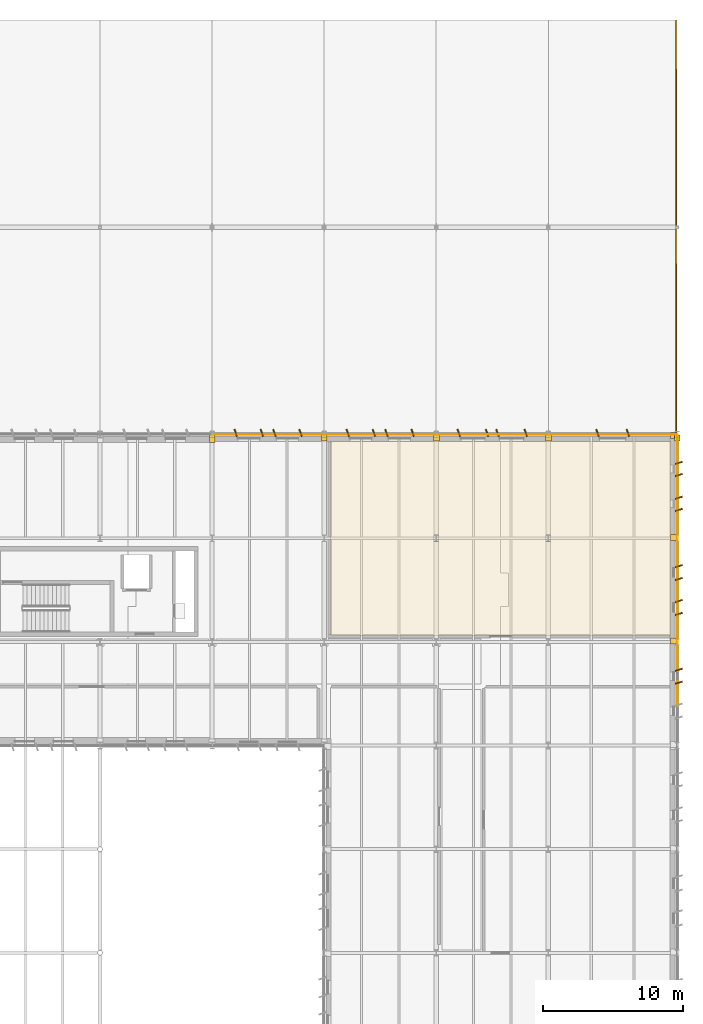
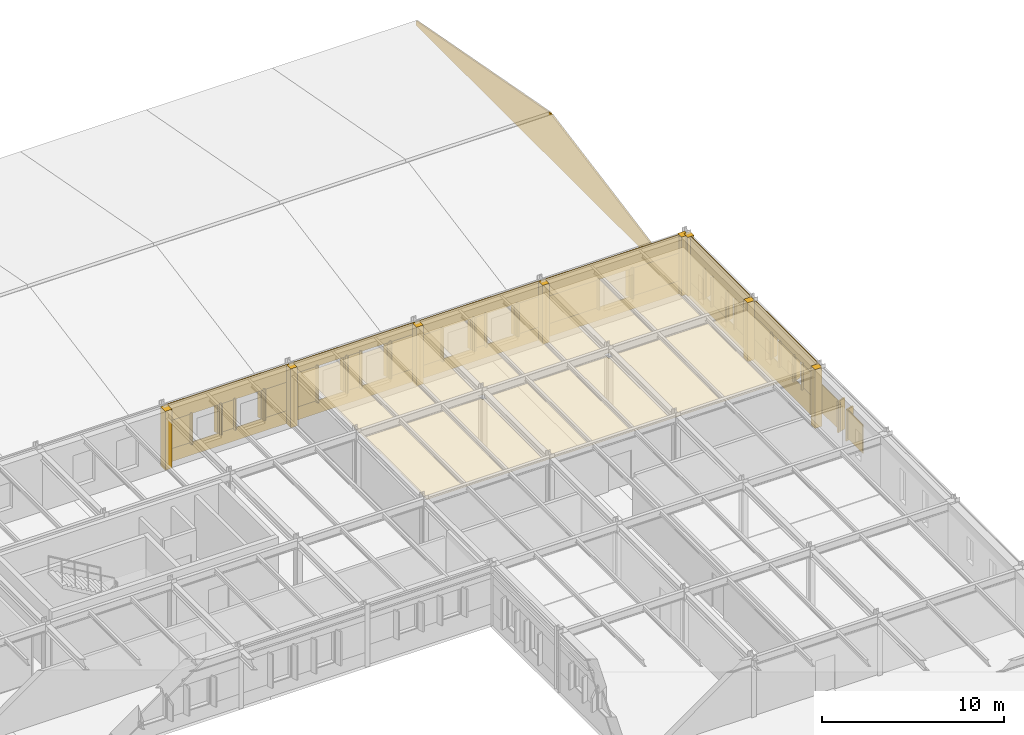
# One storey, part 63 of 63: 65 coverings.
"""IFC4 building model written with IfcOpenShell, lengths in metres."""

from ifc_helpers import new_model, si_unit, direction, frame, frame_2d, origin, origin_2d, place, context, subcontext, project, spatial, polyline, rectangle, outline, extrude, material, layer, layer_set, type_object, element, save


model = new_model("IFC4")

# Units and contexts
model_context = context("Model", 3, precision=1e-05, world=origin(), true_north=direction((0.0, 1.0)))
body_context = subcontext(model_context, "Body", "Model", "MODEL_VIEW")
ifc_project = project(units=[si_unit("LENGTHUNIT", "METRE"), si_unit("AREAUNIT", "SQUARE_METRE"), si_unit("VOLUMEUNIT", "CUBIC_METRE"), si_unit("PLANEANGLEUNIT", "RADIAN"), si_unit("MASSUNIT", "GRAM", prefix="KILO")], contexts=[model_context])

# Site, building, storey
site_placement = place(None, origin())
site = spatial("IfcSite", under=ifc_project, at=site_placement, CompositionType="ELEMENT")
building_placement = place(site_placement, origin())
building = spatial("IfcBuilding", under=site, at=building_placement, Name="Valkorina Park Police Headquarters", CompositionType="ELEMENT")
storey_placement = place(building_placement, frame((0.0, 0.0, 9.89990234375)))
storey = spatial("IfcBuildingStorey", under=building, at=storey_placement, Name="L03", CompositionType="ELEMENT", Elevation=9.89990234375)

# Coverings
ifc_material_1 = material(Name="Acoustic mineral board")
ifc_layer_1 = layer(ifc_material_1, 0.02490234375)
ifc_layer_set_1 = layer_set([ifc_layer_1], Name="Acoustic mineral board")
covering_type_1 = type_object("IfcCoveringType", Name="COV-CEILING-ACOUST", PredefinedType="CEILING", material=ifc_layer_set_1)
covering_1_placement = place(storey_placement, frame((0.0, 0.0, 3.380126953125)))
element("IfcCovering", 1, at=covering_1_placement, inside=storey, type_object=covering_type_1, Name="Forensic Cold-Case DNA Evidence Archive Acoustic Suspended Ceiling", PredefinedType="CEILING", context=body_context, shape_type="SweptSolid", body=[
    extrude(outline(polyline([(161.55859375, 67.1044921875), (161.5595703125, 67.1123046875), (161.56005859375, 67.1201171875), (161.56005859375, 80.8798828125), (161.5595703125, 80.8876953125), (161.55859375, 80.8955078125), (161.556640625, 80.9033203125), (161.553955078125, 80.91064453125), (161.550537109375, 80.917724609375), (161.54638671875, 80.92431640625), (161.541748046875, 80.930908203125), (161.53662109375, 80.9365234375), (161.53076171875, 80.94189453125), (161.5244140625, 80.946533203125), (161.517578125, 80.95068359375), (161.510498046875, 80.953857421875), (161.503173828125, 80.95654296875), (161.49560546875, 80.95849609375), (161.48779296875, 80.959716796875), (161.47998046875, 80.9599609375), (137.320068359375, 80.9599609375), (137.312255859375, 80.959716796875), (137.304443359375, 80.95849609375), (137.296875, 80.95654296875), (137.289306640625, 80.953857421875), (137.2822265625, 80.95068359375), (137.275634765625, 80.946533203125), (137.269287109375, 80.94189453125), (137.263427734375, 80.9365234375), (137.25830078125, 80.930908203125), (137.25341796875, 80.92431640625), (137.24951171875, 80.917724609375), (137.24609375, 80.91064453125), (137.243408203125, 80.9033203125), (137.241455078125, 80.8955078125), (137.240478515625, 80.8876953125), (137.239990234375, 80.8798828125), (137.239990234375, 67.1201171875), (137.240478515625, 67.1123046875), (137.241455078125, 67.1044921875), (137.243408203125, 67.0966796875), (137.24609375, 67.08935546875), (137.24951171875, 67.082275390625), (137.25341796875, 67.07568359375), (137.25830078125, 67.069091796875), (137.263427734375, 67.0634765625), (137.269287109375, 67.05810546875), (137.275634765625, 67.053466796875), (137.2822265625, 67.04931640625), (137.289306640625, 67.046142578125), (137.296875, 67.04345703125), (137.304443359375, 67.04150390625), (137.312255859375, 67.040283203125), (137.320068359375, 67.0400390625), (161.47998046875, 67.0400390625), (161.48779296875, 67.040283203125), (161.49560546875, 67.04150390625), (161.503173828125, 67.04345703125), (161.510498046875, 67.046142578125), (161.517578125, 67.04931640625), (161.5244140625, 67.053466796875), (161.53076171875, 67.05810546875), (161.53662109375, 67.0634765625), (161.541748046875, 67.069091796875), (161.54638671875, 67.07568359375), (161.550537109375, 67.082275390625), (161.553955078125, 67.08935546875), (161.556640625, 67.0966796875), (161.55859375, 67.1044921875)]), holes=[polyline([(152.949951171875, 74.22509765625), (152.949951171875, 73.77490234375), (152.64990234375, 73.77490234375), (152.64990234375, 74.22509765625), (152.949951171875, 74.22509765625)]), polyline([(144.949951171875, 74.22509765625), (144.949951171875, 73.77490234375), (144.64990234375, 73.77490234375), (144.64990234375, 74.22509765625), (144.949951171875, 74.22509765625)])]), origin(), (0.0, 0.0, 1.0), 0.02490234375),
])
ifc_material_2 = material(Name="Precast concrete C40/50", Category="concrete")
ifc_layer_2 = layer(ifc_material_2, 0.044921875)
ifc_layer_set_2 = layer_set([ifc_layer_2], Name="Precast concrete C40/50")
covering_type_2 = type_object("IfcCoveringType", Name="COV-CLAD-DOLOMITE", PredefinedType="CLADDING", material=ifc_layer_set_2)
covering_2_placement = place(storey_placement, frame((161.93994140625, 81.43994140625, -0.0498046875), z_axis=(0.0, 0.0, 1.0), x_axis=(0.0, 1.0, 0.0)))
element("IfcCovering", 2, at=covering_2_placement, inside=storey, type_object=covering_type_2, Name="V3 Gymnasium Gable Closure E", PredefinedType="CLADDING", context=body_context, shape_type="SweptSolid", body=[
    extrude(outline(polyline([(0.0, 0.0), (29.52001953125, 0.0), (29.52001953125, 0.2998046875), (14.760009765625, 3.0498046875), (0.0, 0.2998046875), (0.0, 0.0)])), frame((0.0, 0.0400390625, 0.0), z_axis=(0.0, -1.0, 0.0), x_axis=(1.0, 0.0, 0.0)), (0.0, 0.0, 1.0), 0.080078125),
])
covering_3_placement = place(storey_placement, frame((128.81005859375, 81.110107421875, 0.0), z_axis=(0.0, 0.0, 1.0), x_axis=(1.0, 0.0, 0.0)))
element("IfcCovering", 3, at=covering_3_placement, inside=storey, type_object=covering_type_2, Name="L03 Exterior Joint Closure Pilaster B 1859", PredefinedType="CLADDING", context=body_context, shape_type="SweptSolid", body=[
    extrude(rectangle(XDim=0.419921875, YDim=0.52197265625, at=origin_2d()), origin(), (0.0, 0.0, 1.0), 3.955078125),
])
covering_4_placement = place(storey_placement, frame((136.81005859375, 81.14990234375, 0.0), z_axis=(0.0, 0.0, 1.0), x_axis=(1.0, 0.0, 0.0)))
element("IfcCovering", 4, at=covering_4_placement, inside=storey, type_object=covering_type_2, Name="L03 Exterior Joint Closure Pilaster B 1869", PredefinedType="CLADDING", context=body_context, shape_type="SweptSolid", body=[
    extrude(rectangle(XDim=0.419921875, YDim=0.449951171875, at=origin_2d()), origin(), (0.0, 0.0, 1.0), 3.955078125),
])
for number, where, z_axis, x_axis, name in (
    (5, (130.482666015625, 81.52001953125, 0.7802734375), (0.0, 0.0, 1.0), (-0.317304656405, 0.948323655206, 0.0), "Slanted 18.5-deg Precast Window Slot Fin 1870"),
    (6, (132.3525390625, 81.52001953125, 0.7802734375), (0.0, 0.0, 1.0), (-0.317304656405, 0.948323655206, 0.0), "Slanted 18.5-deg Precast Window Slot Fin 1871"),
    (7, (133.247314453125, 81.52001953125, 0.7802734375), (0.0, 0.0, 1.0), (-0.317304656405, 0.948323655206, 0.0), "Slanted 18.5-deg Precast Window Slot Fin 1872"),
    (8, (135.117431640625, 81.52001953125, 0.7802734375), (0.0, 0.0, 1.0), (-0.317304656405, 0.948323655206, 0.0), "Slanted 18.5-deg Precast Window Slot Fin 1873"),
):
    element("IfcCovering", number, at=place(storey_placement, frame(where, z_axis=z_axis, x_axis=x_axis)), inside=storey, type_object=covering_type_2, Name=name, PredefinedType="CLADDING", context=body_context, shape_type="SweptSolid", body=[
        extrude(rectangle(XDim=0.5400390625, YDim=0.090087890625, at=origin_2d()), origin(), (0.0, 0.0, 1.0), 2.090087890625),
    ])
covering_5_placement = place(storey_placement, frame((128.820068359375, 81.4150390625, 0.0), z_axis=(0.0, 0.0, 1.0), x_axis=(1.0, 0.0, 0.0)))
element("IfcCovering", 9, at=covering_5_placement, inside=storey, type_object=covering_type_2, Name="L03 Calm Concrete Base Sill Spandrel 1874", PredefinedType="CLADDING", context=body_context, shape_type="SweptSolid", body=[
    extrude(rectangle(XDim=7.9599609375, YDim=0.044921875, at=frame_2d((3.97998046875, 0.0))), origin(), (0.0, 0.0, 1.0), 0.8701171875),
])
covering_6_placement = place(storey_placement, frame((128.820068359375, 81.4150390625, 2.780029296875), z_axis=(0.0, 0.0, 1.0), x_axis=(1.0, 0.0, 0.0)))
element("IfcCovering", 10, at=covering_6_placement, inside=storey, type_object=covering_type_2, Name="L03 Calm Concrete Base Lintel Spandrel 1875", PredefinedType="CLADDING", context=body_context, shape_type="SweptSolid", body=[
    extrude(rectangle(XDim=7.9599609375, YDim=0.044921875, at=frame_2d((3.97998046875, 0.0))), origin(), (0.0, 0.0, 1.0), 1.175048828125),
])
covering_7_placement = place(storey_placement, frame((128.820068359375, 81.4150390625, 0.8701171875), z_axis=(0.0, 0.0, 1.0), x_axis=(1.0, 0.0, 0.0)))
element("IfcCovering", 11, at=covering_7_placement, inside=storey, type_object=covering_type_2, Name="L03 Calm Concrete Base Slot Pier 1876", PredefinedType="CLADDING", context=body_context, shape_type="SweptSolid", body=[
    extrude(rectangle(XDim=1.7724609375, YDim=0.044921875, at=frame_2d((0.88623046875, 0.0))), origin(), (0.0, 0.0, 1.0), 1.909912109375),
])
covering_8_placement = place(storey_placement, frame((132.24267578125, 81.4150390625, 0.8701171875), z_axis=(0.0, 0.0, 1.0), x_axis=(1.0, 0.0, 0.0)))
element("IfcCovering", 12, at=covering_8_placement, inside=storey, type_object=covering_type_2, Name="L03 Calm Concrete Base Slot Pier 1877", PredefinedType="CLADDING", context=body_context, shape_type="SweptSolid", body=[
    extrude(rectangle(XDim=1.11474609375, YDim=0.044921875, at=frame_2d((0.557373046875, 0.0))), origin(), (0.0, 0.0, 1.0), 1.909912109375),
])
covering_9_placement = place(storey_placement, frame((135.00732421875, 81.4150390625, 0.8701171875), z_axis=(0.0, 0.0, 1.0), x_axis=(1.0, 0.0, 0.0)))
element("IfcCovering", 13, at=covering_9_placement, inside=storey, type_object=covering_type_2, Name="L03 Calm Concrete Base Slot Pier 1878", PredefinedType="CLADDING", context=body_context, shape_type="SweptSolid", body=[
    extrude(rectangle(XDim=1.772705078125, YDim=0.044921875, at=frame_2d((0.88623046875, 0.0))), origin(), (0.0, 0.0, 1.0), 1.909912109375),
])
covering_10_placement = place(storey_placement, frame((144.81005859375, 81.14990234375, 0.0), z_axis=(0.0, 0.0, 1.0), x_axis=(1.0, 0.0, 0.0)))
element("IfcCovering", 14, at=covering_10_placement, inside=storey, type_object=covering_type_2, Name="L03 Exterior Joint Closure Pilaster B 1879", PredefinedType="CLADDING", context=body_context, shape_type="SweptSolid", body=[
    extrude(rectangle(XDim=0.419921875, YDim=0.449951171875, at=origin_2d()), origin(), (0.0, 0.0, 1.0), 3.955078125),
])
for number, where, z_axis, x_axis, name in (
    (15, (138.482666015625, 81.52001953125, 0.7802734375), (0.0, 0.0, 1.0), (-0.317304656405, 0.948323655206, 0.0), "Slanted 18.5-deg Precast Window Slot Fin 1880"),
    (16, (140.3525390625, 81.52001953125, 0.7802734375), (0.0, 0.0, 1.0), (-0.317304656405, 0.948323655206, 0.0), "Slanted 18.5-deg Precast Window Slot Fin 1881"),
    (17, (141.247314453125, 81.52001953125, 0.7802734375), (0.0, 0.0, 1.0), (-0.317304656405, 0.948323655206, 0.0), "Slanted 18.5-deg Precast Window Slot Fin 1882"),
    (18, (143.117431640625, 81.52001953125, 0.7802734375), (0.0, 0.0, 1.0), (-0.317304656405, 0.948323655206, 0.0), "Slanted 18.5-deg Precast Window Slot Fin 1883"),
):
    element("IfcCovering", number, at=place(storey_placement, frame(where, z_axis=z_axis, x_axis=x_axis)), inside=storey, type_object=covering_type_2, Name=name, PredefinedType="CLADDING", context=body_context, shape_type="SweptSolid", body=[
        extrude(rectangle(XDim=0.5400390625, YDim=0.090087890625, at=origin_2d()), origin(), (0.0, 0.0, 1.0), 2.489990234375),
    ])
covering_11_placement = place(storey_placement, frame((136.820068359375, 81.4150390625, 0.0), z_axis=(0.0, 0.0, 1.0), x_axis=(1.0, 0.0, 0.0)))
element("IfcCovering", 19, at=covering_11_placement, inside=storey, type_object=covering_type_2, Name="L03 Calm Concrete Base Sill Spandrel 1884", PredefinedType="CLADDING", context=body_context, shape_type="SweptSolid", body=[
    extrude(rectangle(XDim=7.9599609375, YDim=0.044921875, at=frame_2d((3.97998046875, 0.0))), origin(), (0.0, 0.0, 1.0), 0.8701171875),
])
covering_12_placement = place(storey_placement, frame((136.820068359375, 81.4150390625, 3.18017578125), z_axis=(0.0, 0.0, 1.0), x_axis=(1.0, 0.0, 0.0)))
element("IfcCovering", 20, at=covering_12_placement, inside=storey, type_object=covering_type_2, Name="L03 Calm Concrete Base Lintel Spandrel 1885", PredefinedType="CLADDING", context=body_context, shape_type="SweptSolid", body=[
    extrude(rectangle(XDim=7.9599609375, YDim=0.044921875, at=frame_2d((3.97998046875, 0.0))), origin(), (0.0, 0.0, 1.0), 0.77490234375),
])
covering_13_placement = place(storey_placement, frame((136.820068359375, 81.4150390625, 0.8701171875), z_axis=(0.0, 0.0, 1.0), x_axis=(1.0, 0.0, 0.0)))
element("IfcCovering", 21, at=covering_13_placement, inside=storey, type_object=covering_type_2, Name="L03 Calm Concrete Base Slot Pier 1886", PredefinedType="CLADDING", context=body_context, shape_type="SweptSolid", body=[
    extrude(rectangle(XDim=1.7724609375, YDim=0.044921875, at=frame_2d((0.88623046875, 0.0))), origin(), (0.0, 0.0, 1.0), 2.31005859375),
])
covering_14_placement = place(storey_placement, frame((140.24267578125, 81.4150390625, 0.8701171875), z_axis=(0.0, 0.0, 1.0), x_axis=(1.0, 0.0, 0.0)))
element("IfcCovering", 22, at=covering_14_placement, inside=storey, type_object=covering_type_2, Name="L03 Calm Concrete Base Slot Pier 1887", PredefinedType="CLADDING", context=body_context, shape_type="SweptSolid", body=[
    extrude(rectangle(XDim=1.11474609375, YDim=0.044921875, at=frame_2d((0.557373046875, 0.0))), origin(), (0.0, 0.0, 1.0), 2.31005859375),
])
covering_15_placement = place(storey_placement, frame((143.00732421875, 81.4150390625, 0.8701171875), z_axis=(0.0, 0.0, 1.0), x_axis=(1.0, 0.0, 0.0)))
element("IfcCovering", 23, at=covering_15_placement, inside=storey, type_object=covering_type_2, Name="L03 Calm Concrete Base Slot Pier 1888", PredefinedType="CLADDING", context=body_context, shape_type="SweptSolid", body=[
    extrude(rectangle(XDim=1.772705078125, YDim=0.044921875, at=frame_2d((0.88623046875, 0.0))), origin(), (0.0, 0.0, 1.0), 2.31005859375),
])
covering_16_placement = place(storey_placement, frame((152.81005859375, 81.14990234375, 0.0), z_axis=(0.0, 0.0, 1.0), x_axis=(1.0, 0.0, 0.0)))
element("IfcCovering", 24, at=covering_16_placement, inside=storey, type_object=covering_type_2, Name="L03 Exterior Joint Closure Pilaster B 1889", PredefinedType="CLADDING", context=body_context, shape_type="SweptSolid", body=[
    extrude(rectangle(XDim=0.419921875, YDim=0.449951171875, at=origin_2d()), origin(), (0.0, 0.0, 1.0), 3.955078125),
])
for number, where, z_axis, x_axis, name in (
    (25, (146.40771484375, 81.52001953125, 0.7802734375), (0.0, 0.0, 1.0), (-0.317304656405, 0.948323655206, 0.0), "Slanted 18.5-deg Precast Window Slot Fin 1890"),
    (26, (148.427490234375, 81.52001953125, 0.7802734375), (0.0, 0.0, 1.0), (-0.317304656405, 0.948323655206, 0.0), "Slanted 18.5-deg Precast Window Slot Fin 1891"),
    (27, (149.17236328125, 81.52001953125, 0.7802734375), (0.0, 0.0, 1.0), (-0.317304656405, 0.948323655206, 0.0), "Slanted 18.5-deg Precast Window Slot Fin 1892"),
    (28, (151.1923828125, 81.52001953125, 0.7802734375), (0.0, 0.0, 1.0), (-0.317304656405, 0.948323655206, 0.0), "Slanted 18.5-deg Precast Window Slot Fin 1893"),
):
    element("IfcCovering", number, at=place(storey_placement, frame(where, z_axis=z_axis, x_axis=x_axis)), inside=storey, type_object=covering_type_2, Name=name, PredefinedType="CLADDING", context=body_context, shape_type="SweptSolid", body=[
        extrude(rectangle(XDim=0.5400390625, YDim=0.090087890625, at=origin_2d()), origin(), (0.0, 0.0, 1.0), 2.239990234375),
    ])
covering_17_placement = place(storey_placement, frame((144.820068359375, 81.4150390625, 0.0), z_axis=(0.0, 0.0, 1.0), x_axis=(1.0, 0.0, 0.0)))
element("IfcCovering", 29, at=covering_17_placement, inside=storey, type_object=covering_type_2, Name="L03 Calm Concrete Base Sill Spandrel 1894", PredefinedType="CLADDING", context=body_context, shape_type="SweptSolid", body=[
    extrude(rectangle(XDim=7.9599609375, YDim=0.044921875, at=frame_2d((3.97998046875, 0.0))), origin(), (0.0, 0.0, 1.0), 0.8701171875),
])
covering_18_placement = place(storey_placement, frame((144.820068359375, 81.4150390625, 2.93017578125), z_axis=(0.0, 0.0, 1.0), x_axis=(1.0, 0.0, 0.0)))
element("IfcCovering", 30, at=covering_18_placement, inside=storey, type_object=covering_type_2, Name="L03 Calm Concrete Base Lintel Spandrel 1895", PredefinedType="CLADDING", context=body_context, shape_type="SweptSolid", body=[
    extrude(rectangle(XDim=7.9599609375, YDim=0.044921875, at=frame_2d((3.97998046875, 0.0))), origin(), (0.0, 0.0, 1.0), 1.02490234375),
])
covering_19_placement = place(storey_placement, frame((144.820068359375, 81.4150390625, 0.8701171875), z_axis=(0.0, 0.0, 1.0), x_axis=(1.0, 0.0, 0.0)))
element("IfcCovering", 31, at=covering_19_placement, inside=storey, type_object=covering_type_2, Name="L03 Calm Concrete Base Slot Pier 1896", PredefinedType="CLADDING", context=body_context, shape_type="SweptSolid", body=[
    extrude(rectangle(XDim=1.697509765625, YDim=0.044921875, at=frame_2d((0.8486328125, 0.0))), origin(), (0.0, 0.0, 1.0), 2.06005859375),
])
covering_20_placement = place(storey_placement, frame((148.317626953125, 81.4150390625, 0.8701171875), z_axis=(0.0, 0.0, 1.0), x_axis=(1.0, 0.0, 0.0)))
element("IfcCovering", 32, at=covering_20_placement, inside=storey, type_object=covering_type_2, Name="L03 Calm Concrete Base Slot Pier 1897", PredefinedType="CLADDING", context=body_context, shape_type="SweptSolid", body=[
    extrude(rectangle(XDim=0.96484375, YDim=0.044921875, at=frame_2d((0.482421875, 0.0))), origin(), (0.0, 0.0, 1.0), 2.06005859375),
])
covering_21_placement = place(storey_placement, frame((151.08251953125, 81.4150390625, 0.8701171875), z_axis=(0.0, 0.0, 1.0), x_axis=(1.0, 0.0, 0.0)))
element("IfcCovering", 33, at=covering_21_placement, inside=storey, type_object=covering_type_2, Name="L03 Calm Concrete Base Slot Pier 1898", PredefinedType="CLADDING", context=body_context, shape_type="SweptSolid", body=[
    extrude(rectangle(XDim=1.697509765625, YDim=0.044921875, at=frame_2d((0.8486328125, 0.0))), origin(), (0.0, 0.0, 1.0), 2.06005859375),
])
covering_22_placement = place(storey_placement, frame((162.010009765625, 81.14990234375, 0.0), z_axis=(0.0, 0.0, 1.0), x_axis=(1.0, 0.0, 0.0)))
element("IfcCovering", 34, at=covering_22_placement, inside=storey, type_object=covering_type_2, Name="L03 Exterior Joint Closure Pilaster B 1899", PredefinedType="CLADDING", context=body_context, shape_type="SweptSolid", body=[
    extrude(rectangle(XDim=0.419921875, YDim=0.449951171875, at=origin_2d()), origin(), (0.0, 0.0, 1.0), 3.955078125),
])
for number, where, z_axis, x_axis, name in (
    (35, (156.31494140625, 81.52001953125, 0.780029296875), (0.0, 0.0, 1.0), (-0.317304656405, 0.948323655206, 0.0), "Slanted 18.5-deg Precast Window Slot Fin 1900"),
    (36, (158.485107421875, 81.52001953125, 0.780029296875), (0.0, 0.0, 1.0), (-0.317304656405, 0.948323655206, 0.0), "Slanted 18.5-deg Precast Window Slot Fin 1901"),
):
    element("IfcCovering", number, at=place(storey_placement, frame(where, z_axis=z_axis, x_axis=x_axis)), inside=storey, type_object=covering_type_2, Name=name, PredefinedType="CLADDING", context=body_context, shape_type="SweptSolid", body=[
        extrude(rectangle(XDim=0.5400390625, YDim=0.090087890625, at=origin_2d()), origin(), (0.0, 0.0, 1.0), 2.0400390625),
    ])
covering_23_placement = place(storey_placement, frame((152.820068359375, 81.4150390625, 0.0), z_axis=(0.0, 0.0, 1.0), x_axis=(1.0, 0.0, 0.0)))
element("IfcCovering", 37, at=covering_23_placement, inside=storey, type_object=covering_type_2, Name="L03 Calm Concrete Base Sill Spandrel 1902", PredefinedType="CLADDING", context=body_context, shape_type="SweptSolid", body=[
    extrude(rectangle(XDim=9.159912109375, YDim=0.044921875, at=frame_2d((4.580078125, 0.0))), origin(), (0.0, 0.0, 1.0), 0.8701171875),
])
covering_24_placement = place(storey_placement, frame((152.820068359375, 81.4150390625, 2.72998046875), z_axis=(0.0, 0.0, 1.0), x_axis=(1.0, 0.0, 0.0)))
element("IfcCovering", 38, at=covering_24_placement, inside=storey, type_object=covering_type_2, Name="L03 Calm Concrete Base Lintel Spandrel 1903", PredefinedType="CLADDING", context=body_context, shape_type="SweptSolid", body=[
    extrude(rectangle(XDim=9.159912109375, YDim=0.044921875, at=frame_2d((4.580078125, 0.0))), origin(), (0.0, 0.0, 1.0), 1.22509765625),
])
for number, where, z_axis, x_axis, name in (
    (39, (152.820068359375, 81.4150390625, 0.8701171875), (0.0, 0.0, 1.0), (1.0, 0.0, 0.0), "L03 Calm Concrete Base Slot Pier 1904"),
    (40, (158.375, 81.4150390625, 0.8701171875), (0.0, 0.0, 1.0), (1.0, 0.0, 0.0), "L03 Calm Concrete Base Slot Pier 1905"),
):
    element("IfcCovering", number, at=place(storey_placement, frame(where, z_axis=z_axis, x_axis=x_axis)), inside=storey, type_object=covering_type_2, Name=name, PredefinedType="CLADDING", context=body_context, shape_type="SweptSolid", body=[
        extrude(rectangle(XDim=3.60498046875, YDim=0.044921875, at=frame_2d((1.802490234375, 0.0))), origin(), (0.0, 0.0, 1.0), 1.85986328125),
    ])
for number, where, z_axis, x_axis, name in (
    (41, (161.75, 81.3349609375, 0.0), (0.0, 0.0, 1.0), (0.0, 1.0, 0.0), "L03 Exterior Joint Closure Pilaster A 1906"),
    (42, (161.75, 74.06494140625, 0.0), (0.0, 0.0, 1.0), (0.0, 1.0, 0.0), "L03 Exterior Joint Closure Pilaster B 1907"),
):
    element("IfcCovering", number, at=place(storey_placement, frame(where, z_axis=z_axis, x_axis=x_axis)), inside=storey, type_object=covering_type_2, Name=name, PredefinedType="CLADDING", context=body_context, shape_type="SweptSolid", body=[
        extrude(rectangle(XDim=0.419921875, YDim=0.449951171875, at=origin_2d()), origin(), (0.0, 0.0, 1.0), 3.955078125),
    ])
for number, where, z_axis, x_axis, name in (
    (43, (162.1201171875, 79.38232421875, 0.7802734375), (0.0, 0.0, 1.0), (0.948323655206, 0.317304656405, 0.0), "Slanted 18.5-deg Precast Window Slot Fin 1908"),
    (44, (162.1201171875, 78.512451171875, 0.7802734375), (0.0, 0.0, 1.0), (0.948323655206, 0.317304656405, 0.0), "Slanted 18.5-deg Precast Window Slot Fin 1909"),
    (45, (162.1201171875, 76.8876953125, 0.7802734375), (0.0, 0.0, 1.0), (0.948323655206, 0.317304656405, 0.0), "Slanted 18.5-deg Precast Window Slot Fin 1910"),
    (46, (162.1201171875, 76.017578125, 0.7802734375), (0.0, 0.0, 1.0), (0.948323655206, 0.317304656405, 0.0), "Slanted 18.5-deg Precast Window Slot Fin 1911"),
):
    element("IfcCovering", number, at=place(storey_placement, frame(where, z_axis=z_axis, x_axis=x_axis)), inside=storey, type_object=covering_type_2, Name=name, PredefinedType="CLADDING", context=body_context, shape_type="SweptSolid", body=[
        extrude(rectangle(XDim=0.5400390625, YDim=0.090087890625, at=origin_2d()), origin(), (0.0, 0.0, 1.0), 1.989990234375),
    ])
covering_25_placement = place(storey_placement, frame((162.014892578125, 81.3798828125, 0.0), z_axis=(0.0, 0.0, 1.0), x_axis=(0.0, -1.0, 0.0)))
element("IfcCovering", 47, at=covering_25_placement, inside=storey, type_object=covering_type_2, Name="L03 Calm Concrete Base Sill Spandrel 1912", PredefinedType="CLADDING", context=body_context, shape_type="SweptSolid", body=[
    extrude(rectangle(XDim=7.35986328125, YDim=0.044921875, at=frame_2d((3.679931640625, 0.0))), origin(), (0.0, 0.0, 1.0), 0.8701171875),
])
covering_26_placement = place(storey_placement, frame((162.014892578125, 81.3798828125, 2.68017578125), z_axis=(0.0, 0.0, 1.0), x_axis=(0.0, -1.0, 0.0)))
element("IfcCovering", 48, at=covering_26_placement, inside=storey, type_object=covering_type_2, Name="L03 Calm Concrete Base Lintel Spandrel 1913", PredefinedType="CLADDING", context=body_context, shape_type="SweptSolid", body=[
    extrude(rectangle(XDim=7.35986328125, YDim=0.044921875, at=frame_2d((3.679931640625, 0.0))), origin(), (0.0, 0.0, 1.0), 1.27490234375),
])
covering_27_placement = place(storey_placement, frame((162.014892578125, 81.3798828125, 0.8701171875), z_axis=(0.0, 0.0, 1.0), x_axis=(0.0, -1.0, 0.0)))
element("IfcCovering", 49, at=covering_27_placement, inside=storey, type_object=covering_type_2, Name="L03 Calm Concrete Base Slot Pier 1914", PredefinedType="CLADDING", context=body_context, shape_type="SweptSolid", body=[
    extrude(rectangle(XDim=2.107421875, YDim=0.044921875, at=frame_2d((1.0537109375, 0.0))), origin(), (0.0, 0.0, 1.0), 1.81005859375),
])
covering_28_placement = place(storey_placement, frame((162.014892578125, 78.622314453125, 0.8701171875), z_axis=(0.0, 0.0, 1.0), x_axis=(0.0, -1.0, 0.0)))
element("IfcCovering", 50, at=covering_28_placement, inside=storey, type_object=covering_type_2, Name="L03 Calm Concrete Base Slot Pier 1915", PredefinedType="CLADDING", context=body_context, shape_type="SweptSolid", body=[
    extrude(rectangle(XDim=1.8447265625, YDim=0.044921875, at=frame_2d((0.92236328125, 0.0))), origin(), (0.0, 0.0, 1.0), 1.81005859375),
])
covering_29_placement = place(storey_placement, frame((162.014892578125, 76.127685546875, 0.8701171875), z_axis=(0.0, 0.0, 1.0), x_axis=(0.0, -1.0, 0.0)))
element("IfcCovering", 51, at=covering_29_placement, inside=storey, type_object=covering_type_2, Name="L03 Calm Concrete Base Slot Pier 1916", PredefinedType="CLADDING", context=body_context, shape_type="SweptSolid", body=[
    extrude(rectangle(XDim=2.107666015625, YDim=0.044921875, at=frame_2d((1.0537109375, 0.0))), origin(), (0.0, 0.0, 1.0), 1.81005859375),
])
covering_30_placement = place(storey_placement, frame((161.75, 66.6650390625, 0.0), z_axis=(0.0, 0.0, 1.0), x_axis=(0.0, 1.0, 0.0)))
element("IfcCovering", 52, at=covering_30_placement, inside=storey, type_object=covering_type_2, Name="L03 Exterior Joint Closure Pilaster B 1917", PredefinedType="CLADDING", context=body_context, shape_type="SweptSolid", body=[
    extrude(rectangle(XDim=0.419921875, YDim=0.449951171875, at=origin_2d()), origin(), (0.0, 0.0, 1.0), 3.955078125),
])
for number, where, z_axis, x_axis, name in (
    (53, (162.1201171875, 72.00732421875, 1.22998046875), (0.0, 0.0, 1.0), (0.948323655206, 0.317304656405, 0.0), "Slanted 18.5-deg Precast Window Slot Fin 1918"),
    (54, (162.1201171875, 71.08740234375, 1.22998046875), (0.0, 0.0, 1.0), (0.948323655206, 0.317304656405, 0.0), "Slanted 18.5-deg Precast Window Slot Fin 1919"),
    (55, (162.1201171875, 69.5126953125, 1.22998046875), (0.0, 0.0, 1.0), (0.948323655206, 0.317304656405, 0.0), "Slanted 18.5-deg Precast Window Slot Fin 1920"),
    (56, (162.1201171875, 68.592529296875, 1.22998046875), (0.0, 0.0, 1.0), (0.948323655206, 0.317304656405, 0.0), "Slanted 18.5-deg Precast Window Slot Fin 1921"),
):
    element("IfcCovering", number, at=place(storey_placement, frame(where, z_axis=z_axis, x_axis=x_axis)), inside=storey, type_object=covering_type_2, Name=name, PredefinedType="CLADDING", context=body_context, shape_type="SweptSolid", body=[
        extrude(rectangle(XDim=0.5400390625, YDim=0.090087890625, at=origin_2d()), origin(), (0.0, 0.0, 1.0), 1.739990234375),
    ])
covering_31_placement = place(storey_placement, frame((162.014892578125, 73.97998046875, 0.0), z_axis=(0.0, 0.0, 1.0), x_axis=(0.0, -1.0, 0.0)))
element("IfcCovering", 57, at=covering_31_placement, inside=storey, type_object=covering_type_2, Name="L03 Calm Concrete Base Sill Spandrel 1922", PredefinedType="CLADDING", context=body_context, shape_type="SweptSolid", body=[
    extrude(rectangle(XDim=7.35986328125, YDim=0.044921875, at=frame_2d((3.679931640625, 0.0))), origin(), (0.0, 0.0, 1.0), 1.320068359375),
])
covering_32_placement = place(storey_placement, frame((162.014892578125, 73.97998046875, 2.880126953125), z_axis=(0.0, 0.0, 1.0), x_axis=(0.0, -1.0, 0.0)))
element("IfcCovering", 58, at=covering_32_placement, inside=storey, type_object=covering_type_2, Name="L03 Calm Concrete Base Lintel Spandrel 1923", PredefinedType="CLADDING", context=body_context, shape_type="SweptSolid", body=[
    extrude(rectangle(XDim=7.35986328125, YDim=0.044921875, at=frame_2d((3.679931640625, 0.0))), origin(), (0.0, 0.0, 1.0), 1.074951171875),
])
covering_33_placement = place(storey_placement, frame((162.014892578125, 73.97998046875, 1.320068359375), z_axis=(0.0, 0.0, 1.0), x_axis=(0.0, -1.0, 0.0)))
element("IfcCovering", 59, at=covering_33_placement, inside=storey, type_object=covering_type_2, Name="L03 Calm Concrete Base Slot Pier 1924", PredefinedType="CLADDING", context=body_context, shape_type="SweptSolid", body=[
    extrude(rectangle(XDim=2.08251953125, YDim=0.044921875, at=frame_2d((1.041259765625, 0.0))), origin(), (0.0, 0.0, 1.0), 1.56005859375),
])
covering_34_placement = place(storey_placement, frame((162.014892578125, 71.197509765625, 1.320068359375), z_axis=(0.0, 0.0, 1.0), x_axis=(0.0, -1.0, 0.0)))
element("IfcCovering", 60, at=covering_34_placement, inside=storey, type_object=covering_type_2, Name="L03 Calm Concrete Base Slot Pier 1925", PredefinedType="CLADDING", context=body_context, shape_type="SweptSolid", body=[
    extrude(rectangle(XDim=1.794921875, YDim=0.044921875, at=frame_2d((0.8974609375, 0.0))), origin(), (0.0, 0.0, 1.0), 1.56005859375),
])
covering_35_placement = place(storey_placement, frame((162.014892578125, 68.70263671875, 1.320068359375), z_axis=(0.0, 0.0, 1.0), x_axis=(0.0, -1.0, 0.0)))
element("IfcCovering", 61, at=covering_35_placement, inside=storey, type_object=covering_type_2, Name="L03 Calm Concrete Base Slot Pier 1926", PredefinedType="CLADDING", context=body_context, shape_type="SweptSolid", body=[
    extrude(rectangle(XDim=2.08251953125, YDim=0.044921875, at=frame_2d((1.041259765625, 0.0))), origin(), (0.0, 0.0, 1.0), 1.56005859375),
])
for number, where, z_axis, x_axis, name in (
    (62, (162.1201171875, 64.607421875, 0.7802734375), (0.0, 0.0, 1.0), (0.948323655206, 0.317304656405, 0.0), "Slanted 18.5-deg Precast Window Slot Fin 1928"),
    (63, (162.1201171875, 63.6875, 0.7802734375), (0.0, 0.0, 1.0), (0.948323655206, 0.317304656405, 0.0), "Slanted 18.5-deg Precast Window Slot Fin 1929"),
):
    element("IfcCovering", number, at=place(storey_placement, frame(where, z_axis=z_axis, x_axis=x_axis)), inside=storey, type_object=covering_type_2, Name=name, PredefinedType="CLADDING", context=body_context, shape_type="SweptSolid", body=[
        extrude(rectangle(XDim=0.5400390625, YDim=0.090087890625, at=origin_2d()), origin(), (0.0, 0.0, 1.0), 2.090087890625),
    ])
covering_36_placement = place(storey_placement, frame((162.014892578125, 66.580078125, 0.8701171875), z_axis=(0.0, 0.0, 1.0), x_axis=(0.0, -1.0, 0.0)))
element("IfcCovering", 64, at=covering_36_placement, inside=storey, type_object=covering_type_2, Name="L03 Calm Concrete Base Slot Pier 1934", PredefinedType="CLADDING", context=body_context, shape_type="SweptSolid", body=[
    extrude(rectangle(XDim=2.082763671875, YDim=0.044921875, at=frame_2d((1.04150390625, 0.0))), origin(), (0.0, 0.0, 1.0), 1.909912109375),
])
covering_37_placement = place(storey_placement, frame((162.014892578125, 63.79736328125, 0.8701171875), z_axis=(0.0, 0.0, 1.0), x_axis=(0.0, -1.0, 0.0)))
element("IfcCovering", 65, at=covering_37_placement, inside=storey, type_object=covering_type_2, Name="L03 Calm Concrete Base Slot Pier 1935", PredefinedType="CLADDING", context=body_context, shape_type="SweptSolid", body=[
    extrude(rectangle(XDim=1.794677734375, YDim=0.044921875, at=frame_2d((0.8974609375, 0.0))), origin(), (0.0, 0.0, 1.0), 1.909912109375),
])

save(model, "model.ifc")
